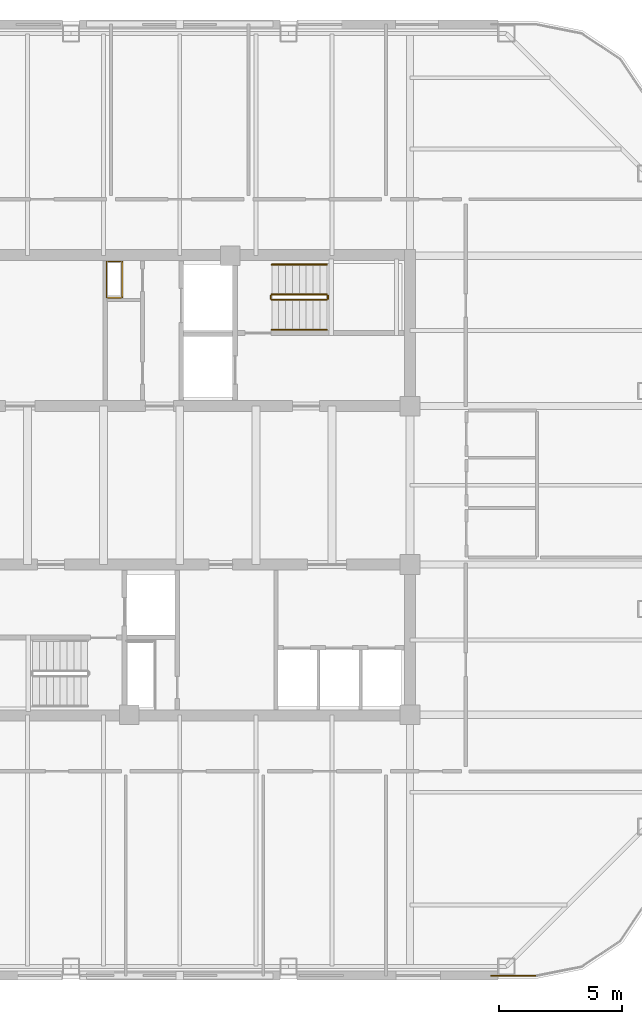
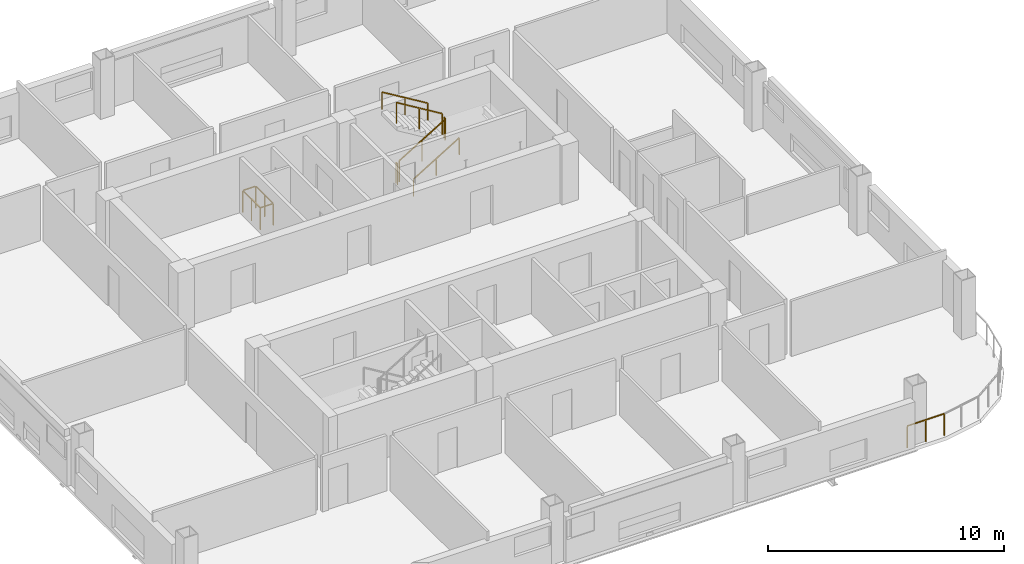
# One storey, part 7 of 8: 8 railings.
"""IFC4 building model written with IfcOpenShell, lengths in metres."""

from ifc_helpers import new_model, si_unit, direction, frame, origin, origin_2d, place, context, subcontext, project, spatial, rectangle, extrude, material, type_object, element, save


model = new_model("IFC4")

# Units and contexts
model_context = context("Model", 3, precision=1e-05, world=origin(), true_north=direction((0.0, 1.0)))
body_context = subcontext(model_context, "Body", "Model", "MODEL_VIEW")
ifc_project = project(units=[si_unit("LENGTHUNIT", "METRE"), si_unit("AREAUNIT", "SQUARE_METRE"), si_unit("VOLUMEUNIT", "CUBIC_METRE"), si_unit("PLANEANGLEUNIT", "RADIAN"), si_unit("MASSUNIT", "GRAM", prefix="KILO")], contexts=[model_context])

# Site, building, storey
site_placement = place(None, origin())
site = spatial("IfcSite", under=ifc_project, at=site_placement, CompositionType="ELEMENT")
building_placement = place(site_placement, origin())
building = spatial("IfcBuilding", under=site, at=building_placement, Name="Qhalaya Broadcast Tower", CompositionType="ELEMENT")
storey_placement = place(building_placement, frame((0.0, 0.0, 214.75)))
storey = spatial("IfcBuildingStorey", under=building, at=storey_placement, Name="L63", CompositionType="ELEMENT", Elevation=214.75)

# Railings
ifc_material = material(Name="Powder-Coated Galvanised Steel", Category="steel")
railing_type_1 = type_object("IfcRailingType", Name="Stair Wall Handrail 900", PredefinedType="HANDRAIL", material=ifc_material)
railing_1_placement = place(storey_placement, frame((3.75, 6.929931640625, 0.16943359375)))
element("IfcRailing", 1, at=railing_1_placement, inside=storey, type_object=railing_type_1, Name="L63 ST-1 Stair Handrail 1", PredefinedType="HANDRAIL", context=body_context, shape_type="SweptSolid", body=[
    extrude(rectangle(XDim=0.048095703125, YDim=0.048095703125, at=origin_2d()), frame((0.0, 0.0, 0.8759765625), z_axis=(0.855553338991, 0.0, 0.51771467445), x_axis=(0.0, 1.0, 0.0)), (0.0, 0.0, 1.0), 2.6181640625),
    extrude(rectangle(XDim=0.0419921875, YDim=0.0419921875, at=origin_2d()), origin(), (0.0, 0.0, 1.0), 0.849853515625),
    extrude(rectangle(XDim=0.0419921875, YDim=0.0419921875, at=origin_2d()), frame((1.1201171875, 0.0, 0.677734375)), (0.0, 0.0, 1.0), 0.849853515625),
    extrude(rectangle(XDim=0.0419921875, YDim=0.0419921875, at=origin_2d()), frame((2.239990234375, 0.0, 1.35546875)), (0.0, 0.0, 1.0), 0.849853515625),
])
railing_2_placement = place(storey_placement, frame((5.989990234375, 9.590087890625, 1.6943359375)))
element("IfcRailing", 2, at=railing_2_placement, inside=storey, type_object=railing_type_1, Name="L63 ST-1 Stair Handrail 2", PredefinedType="HANDRAIL", context=body_context, shape_type="SweptSolid", body=[
    extrude(rectangle(XDim=0.048095703125, YDim=0.048095703125, at=origin_2d()), frame((0.0, 0.0, 0.8759765625), z_axis=(-0.855512035549, 0.0, 0.517782924622), x_axis=(0.0, -1.0, 0.0)), (0.0, 0.0, 1.0), 2.618408203125),
    extrude(rectangle(XDim=0.0419921875, YDim=0.0419921875, at=origin_2d()), origin(), (0.0, 0.0, 1.0), 0.849853515625),
    extrude(rectangle(XDim=0.0419921875, YDim=0.0419921875, at=origin_2d()), frame((-1.1201171875, 0.0, 0.677734375)), (0.0, 0.0, 1.0), 0.849853515625),
    extrude(rectangle(XDim=0.0419921875, YDim=0.0419921875, at=origin_2d()), frame((-2.239990234375, 0.0, 1.355712890625)), (0.0, 0.0, 1.0), 0.849853515625),
])
railing_type_2 = type_object("IfcRailingType", Name="Stair Well & Landing Guardrail 1100", PredefinedType="GUARDRAIL", material=ifc_material)
railing_3_placement = place(storey_placement, frame((-2.340087890625, 8.239990234375, 0.0)))
element("IfcRailing", 3, at=railing_3_placement, inside=storey, type_object=railing_type_2, Name="L63 Service Riser Opening Safety Guard NRSR", PredefinedType="GUARDRAIL", context=body_context, shape_type="SweptSolid", body=[
    extrude(rectangle(XDim=0.048095703125, YDim=0.048095703125, at=origin_2d()), frame((0.0, 0.02880859375, 1.1259765625), z_axis=(0.0, 1.0, 0.0), x_axis=(-1.0, 0.0, 0.0)), (0.0, 0.0, 1.0), 1.42236328125),
    extrude(rectangle(XDim=0.048095703125, YDim=0.048095703125, at=origin_2d()), frame((-0.02880859375, 1.47998046875, 1.1259765625), z_axis=(-1.0, 0.0, 0.0), x_axis=(0.0, -1.0, 0.0)), (0.0, 0.0, 1.0), 0.582275390625),
    extrude(rectangle(XDim=0.048095703125, YDim=0.048095703125, at=origin_2d()), frame((-0.639892578125, 1.451171875, 1.1259765625), z_axis=(0.0, -1.0, 0.0), x_axis=(1.0, 0.0, 0.0)), (0.0, 0.0, 1.0), 1.42236328125),
    extrude(rectangle(XDim=0.048095703125, YDim=0.048095703125, at=origin_2d()), frame((-0.611083984375, 0.0, 1.1259765625), z_axis=(1.0, 0.0, 0.0), x_axis=(0.0, 1.0, 0.0)), (0.0, 0.0, 1.0), 0.582275390625),
    extrude(rectangle(XDim=0.0419921875, YDim=0.0419921875, at=origin_2d()), origin(), (0.0, 0.0, 1.0), 1.099853515625),
    extrude(rectangle(XDim=0.0419921875, YDim=0.0419921875, at=origin_2d()), frame((0.0, 0.739990234375, 0.0)), (0.0, 0.0, 1.0), 1.099853515625),
    extrude(rectangle(XDim=0.0419921875, YDim=0.0419921875, at=origin_2d()), frame((0.0, 1.47998046875, 0.0)), (0.0, 0.0, 1.0), 1.099853515625),
    extrude(rectangle(XDim=0.0419921875, YDim=0.0419921875, at=origin_2d()), frame((-0.639892578125, 1.47998046875, 0.0)), (0.0, 0.0, 1.0), 1.099853515625),
    extrude(rectangle(XDim=0.0419921875, YDim=0.0419921875, at=origin_2d()), frame((-0.639892578125, 0.739990234375, 0.0)), (0.0, 0.0, 1.0), 1.099853515625),
    extrude(rectangle(XDim=0.0419921875, YDim=0.0419921875, at=origin_2d()), frame((-0.639892578125, 0.0, 0.0)), (0.0, 0.0, 1.0), 1.099853515625),
])
railing_4_placement = place(storey_placement, frame((3.75, 8.14990234375, 0.16943359375)))
element("IfcRailing", 4, at=railing_4_placement, inside=storey, type_object=railing_type_2, Name="L63 ST-1 Stair Guard 1", PredefinedType="GUARDRAIL", context=body_context, shape_type="SweptSolid", body=[
    extrude(rectangle(XDim=0.048095703125, YDim=0.048095703125, at=origin_2d()), frame((0.0, 0.0, 1.076171875), z_axis=(0.855553338991, 0.0, 0.51771467445), x_axis=(0.0, 1.0, 0.0)), (0.0, 0.0, 1.0), 2.6181640625),
    extrude(rectangle(XDim=0.0419921875, YDim=0.0419921875, at=origin_2d()), origin(), (0.0, 0.0, 1.0), 1.050048828125),
    extrude(rectangle(XDim=0.0419921875, YDim=0.0419921875, at=origin_2d()), frame((1.1201171875, 0.0, 0.677734375)), (0.0, 0.0, 1.0), 1.050048828125),
    extrude(rectangle(XDim=0.0419921875, YDim=0.0419921875, at=origin_2d()), frame((2.239990234375, 0.0, 1.35546875)), (0.0, 0.0, 1.0), 1.050048828125),
])
railing_5_placement = place(storey_placement, frame((6.0400390625, 8.199951171875, 1.52490234375)))
element("IfcRailing", 5, at=railing_5_placement, inside=storey, type_object=railing_type_2, Name="L63 ST-1 Stair Guard 2", PredefinedType="GUARDRAIL", context=body_context, shape_type="SweptSolid", body=[
    extrude(rectangle(XDim=0.048095703125, YDim=0.048095703125, at=origin_2d()), frame((0.0, 0.0, 1.076171875), z_axis=(0.0, 1.0, 0.0), x_axis=(-1.0, 0.0, 0.0)), (0.0, 0.0, 1.0), 0.1201171875),
    extrude(rectangle(XDim=0.0419921875, YDim=0.0419921875, at=origin_2d()), origin(), (0.0, 0.0, 1.0), 1.050048828125),
    extrude(rectangle(XDim=0.0419921875, YDim=0.0419921875, at=origin_2d()), frame((0.0, 0.1201171875, 0.0)), (0.0, 0.0, 1.0), 1.050048828125),
])
railing_6_placement = place(storey_placement, frame((5.989990234375, 8.3701171875, 1.6943359375)))
element("IfcRailing", 6, at=railing_6_placement, inside=storey, type_object=railing_type_2, Name="L63 ST-1 Stair Guard 3", PredefinedType="GUARDRAIL", context=body_context, shape_type="SweptSolid", body=[
    extrude(rectangle(XDim=0.048095703125, YDim=0.048095703125, at=origin_2d()), frame((0.0, 0.0, 1.076171875), z_axis=(-0.855512035549, 0.0, 0.517782924622), x_axis=(0.0, -1.0, 0.0)), (0.0, 0.0, 1.0), 2.618408203125),
    extrude(rectangle(XDim=0.0419921875, YDim=0.0419921875, at=origin_2d()), origin(), (0.0, 0.0, 1.0), 1.050048828125),
    extrude(rectangle(XDim=0.0419921875, YDim=0.0419921875, at=origin_2d()), frame((-1.1201171875, 0.0, 0.677734375)), (0.0, 0.0, 1.0), 1.050048828125),
    extrude(rectangle(XDim=0.0419921875, YDim=0.0419921875, at=origin_2d()), frame((-2.239990234375, 0.0, 1.355712890625)), (0.0, 0.0, 1.0), 1.050048828125),
])
railing_7_placement = place(storey_placement, frame((3.699951171875, 8.199951171875, 0.0)))
element("IfcRailing", 7, at=railing_7_placement, inside=storey, type_object=railing_type_2, Name="L63 ST-1 Stair Guard 4", PredefinedType="GUARDRAIL", context=body_context, shape_type="SweptSolid", body=[
    extrude(rectangle(XDim=0.048095703125, YDim=0.048095703125, at=origin_2d()), frame((0.0, 0.0, 1.076171875), z_axis=(0.0, 1.0, 0.0), x_axis=(-1.0, 0.0, 0.0)), (0.0, 0.0, 1.0), 0.1201171875),
    extrude(rectangle(XDim=0.0419921875, YDim=0.0419921875, at=origin_2d()), origin(), (0.0, 0.0, 1.0), 1.050048828125),
    extrude(rectangle(XDim=0.0419921875, YDim=0.0419921875, at=origin_2d()), frame((0.0, 0.1201171875, 0.0)), (0.0, 0.0, 1.0), 1.050048828125),
])
railing_type_3 = type_object("IfcRailingType", Name="Terrace, Sky-Pool & Lookout Glass Balustrade 1150", PredefinedType="BALUSTRADE", material=ifc_material)
railing_8_placement = place(storey_placement, frame((14.48828125, -19.3798828125, 0.0)))
element("IfcRailing", 8, at=railing_8_placement, inside=storey, type_object=railing_type_3, Name="L63 Rounded Corner Perimeter Guard 01", PredefinedType="BALUSTRADE", context=body_context, shape_type="SweptSolid", body=[
    extrude(rectangle(XDim=0.048095703125, YDim=0.048095703125, at=origin_2d()), frame((0.0, 0.0, 1.1259765625), z_axis=(-1.0, 0.0, 0.0), x_axis=(0.0, -1.0, 0.0)), (0.0, 0.0, 1.0), 1.806396484375),
    extrude(rectangle(XDim=0.0419921875, YDim=0.0419921875, at=origin_2d()), origin(), (0.0, 0.0, 1.0), 1.099853515625),
    extrude(rectangle(XDim=0.0419921875, YDim=0.0419921875, at=origin_2d()), frame((-0.9033203125, 0.0, 0.0)), (0.0, 0.0, 1.0), 1.099853515625),
    extrude(rectangle(XDim=0.0419921875, YDim=0.0419921875, at=origin_2d()), frame((-1.806396484375, 0.0, 0.0)), (0.0, 0.0, 1.0), 1.099853515625),
])

save(model, "model.ifc")
